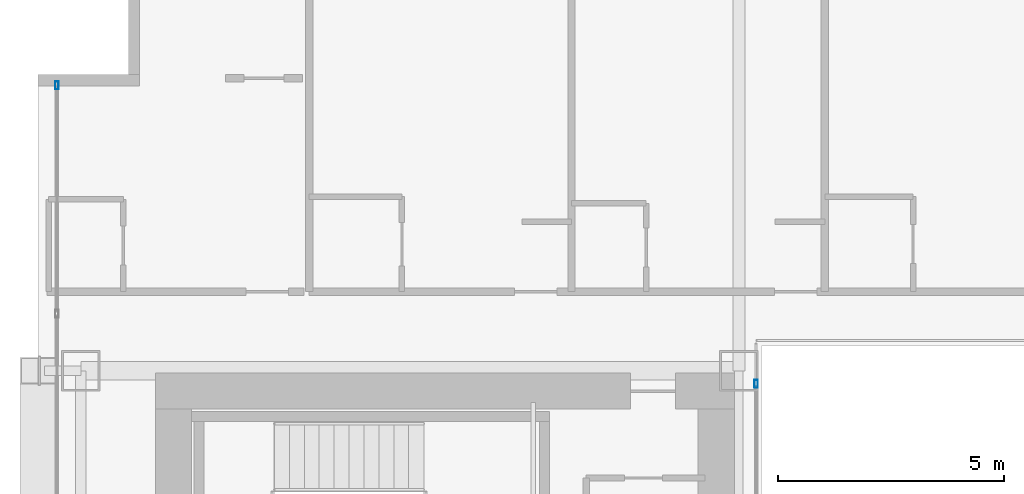
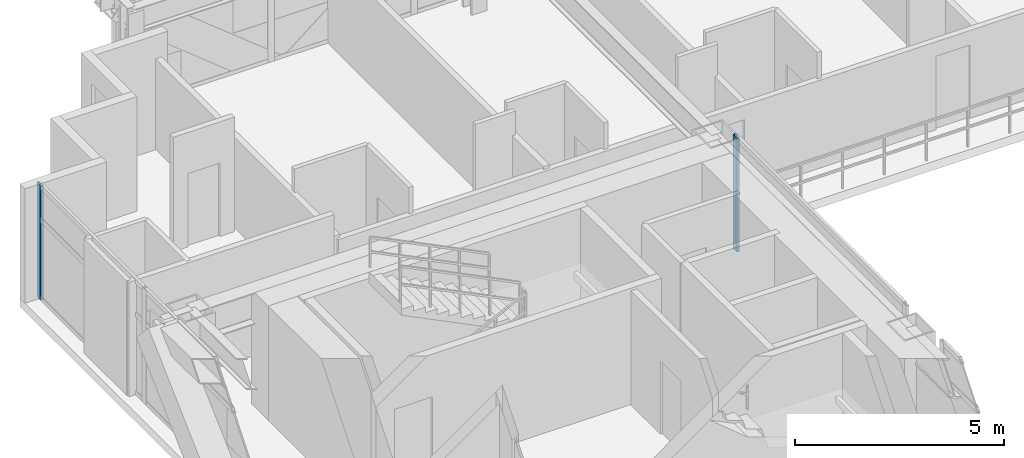
# One storey, part 20 of 41: 2 members, 2 elements without a shape of their own.
"""IFC4 building model written with IfcOpenShell, lengths in metres."""

from ifc_helpers import new_model, si_unit, direction, frame, origin, origin_2d, place, context, subcontext, project, spatial, hollow_rectangle, extrude, source, transform, mapped, material, layer, layer_set, material_profile, profile_set, type_object, element, aggregate, save


model = new_model("IFC4")

# Units and contexts
model_context = context("Model", 3, precision=1e-05, world=origin(), true_north=direction((0.0, 1.0)))
body_context = subcontext(model_context, "Body", "Model", "MODEL_VIEW")
ifc_project = project(units=[si_unit("LENGTHUNIT", "METRE"), si_unit("AREAUNIT", "SQUARE_METRE"), si_unit("VOLUMEUNIT", "CUBIC_METRE"), si_unit("PLANEANGLEUNIT", "RADIAN"), si_unit("MASSUNIT", "GRAM", prefix="KILO")], contexts=[model_context])

# Site, building, storey
site_placement = place(None, origin())
site = spatial("IfcSite", under=ifc_project, at=site_placement, CompositionType="ELEMENT")
building_placement = place(site_placement, origin())
building = spatial("IfcBuilding", under=site, at=building_placement, Name="Ocotamira Hotel", CompositionType="ELEMENT")
storey_placement = place(building_placement, frame((0.0, 0.0, 52.800048828125)))
storey = spatial("IfcBuildingStorey", under=building, at=storey_placement, Name="L12", CompositionType="ELEMENT", Elevation=52.800048828125)

# Curtain wall, member
ifc_material_1 = material(Name="Anodised pale-metal aluminium and solar glass", Category="aluminium")
ifc_layer_1 = layer(ifc_material_1, 0.179931640625)
ifc_layer_set_1 = layer_set([ifc_layer_1], Name="Anodised pale-metal aluminium and solar glass")
curtain_wall_type_1 = type_object("IfcCurtainWallType", Name="CW-SYS2-Z1", PredefinedType="NOTDEFINED", material=ifc_layer_set_1)
curtain_wall_1_placement = place(storey_placement, origin())
curtain_wall_1 = element("IfcCurtainWall", 1, at=curtain_wall_1_placement, inside=storey, type_object=curtain_wall_type_1, Name="L12 Curtain Wall CW-2 CW-L12-W", PredefinedType="NOTDEFINED")
ifc_material_2 = material(Name="Anodised pale-metal aluminium 6063-T6", Category="aluminium")
ifc_material_profile = material_profile(ifc_material_2, hollow_rectangle(XDim=0.080078125, YDim=0.179931640625, WallThickness=0.006103515625, at=origin_2d()), Name="HSS180X80X6")
ifc_profile_set = profile_set([ifc_material_profile], Name="Anodised pale-metal aluminium 6063-T6")
member_type = type_object("IfcMemberType", Name="CWM-180X75", PredefinedType="MULLION", material=ifc_profile_set)
shared_shape = source(origin(), body_context, "Body", "SweptSolid", [
    extrude(hollow_rectangle(XDim=0.080078125, YDim=0.179931640625, WallThickness=0.006103515625, at=origin_2d()), origin(), (0.0, 0.0, 1.0), 3.349853515625),
])
member_1_placement = place(storey_placement, frame((8.419921875, 43.760009765625, 0.0), z_axis=(0.0, 0.0, 1.0), x_axis=(-1.0, 0.0, 0.0)))
member_1 = element("IfcMember", 2, at=member_1_placement, type_object=member_type, Name="CW-2 mullion 8", PredefinedType="MULLION", context=body_context, shape_type="MappedRepresentation", body=[
    mapped(shared_shape, transform((0.0, 0.0, 0.0), scale=1.0)),
])
aggregate(curtain_wall_1, [member_1])

ifc_layer_2 = layer(ifc_material_1, 0.159912109375)
ifc_layer_set_2 = layer_set([ifc_layer_2], Name="Anodised pale-metal aluminium and solar glass")
curtain_wall_type_2 = type_object("IfcCurtainWallType", Name="CW-SYS6-ATR", PredefinedType="NOTDEFINED", material=ifc_layer_set_2)
curtain_wall_2_placement = place(storey_placement, origin())
curtain_wall_2 = element("IfcCurtainWall", 3, at=curtain_wall_2_placement, inside=storey, type_object=curtain_wall_type_2, Name="L12 Curtain Wall CW-6 CW-L12-ATRW2", PredefinedType="NOTDEFINED")
member_2_placement = place(storey_placement, frame((23.8798828125, 37.159912109375, 0.0), z_axis=(0.0, 0.0, 1.0), x_axis=(-1.0, 0.0, 0.0)))
member_2 = element("IfcMember", 4, at=member_2_placement, type_object=member_type, Name="CW-6 mullion 2", PredefinedType="MULLION", context=body_context, shape_type="MappedRepresentation", body=[
    mapped(shared_shape, transform((0.0, 0.0, 0.0), scale=1.0)),
])
aggregate(curtain_wall_2, [member_2])

save(model, "model.ifc")
